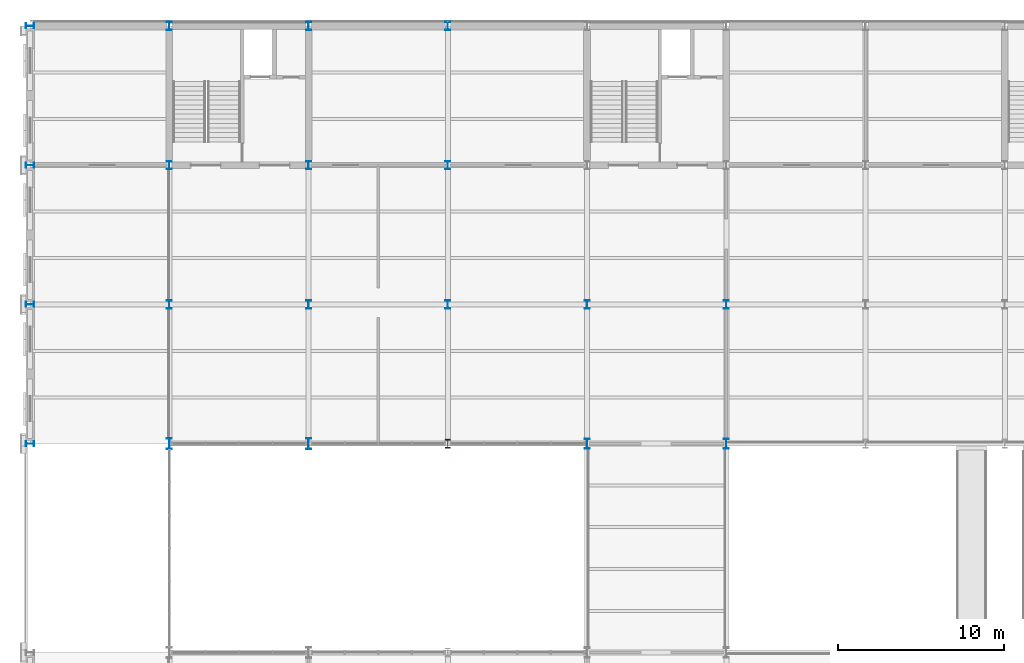
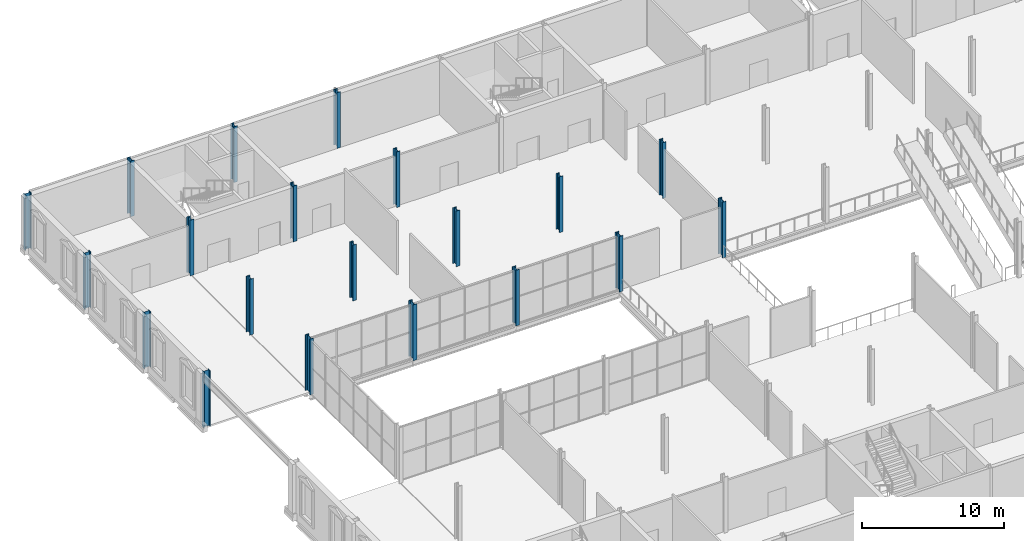
# One storey, part 3 of 61: 20 columns.
"""IFC4 building model written with IfcOpenShell, lengths in metres."""

from ifc_helpers import new_model, si_unit, direction, frame, origin, origin_2d, place, context, subcontext, project, spatial, i_section, extrude, material, material_profile, profile_set, type_object, element, save


model = new_model("IFC4")

# Units and contexts
model_context = context("Model", 3, precision=1e-05, world=origin(), true_north=direction((0.0, 1.0)))
body_context = subcontext(model_context, "Body", "Model", "MODEL_VIEW")
ifc_project = project(units=[si_unit("LENGTHUNIT", "METRE"), si_unit("AREAUNIT", "SQUARE_METRE"), si_unit("VOLUMEUNIT", "CUBIC_METRE"), si_unit("PLANEANGLEUNIT", "RADIAN"), si_unit("MASSUNIT", "GRAM", prefix="KILO")], contexts=[model_context])

# Site, building, storey
site_placement = place(None, origin())
site = spatial("IfcSite", under=ifc_project, at=site_placement, CompositionType="ELEMENT")
building_placement = place(site_placement, origin())
building = spatial("IfcBuilding", under=site, at=building_placement, Name="Galleria Vessillo Department Store", CompositionType="ELEMENT")
storey_placement = place(building_placement, frame((0.0, 0.0, 11.39990234375)))
storey = spatial("IfcBuildingStorey", under=building, at=storey_placement, Name="L02", CompositionType="ELEMENT", Elevation=11.39990234375)

# Columns
ifc_material_1 = material(Name="Steel S355 J2", Category="steel")
ifc_material_profile_1 = material_profile(ifc_material_1, i_section(OverallWidth=0.300048828125, OverallDepth=0.5, WebThickness=0.014404296875, FlangeThickness=0.028076171875, FilletRadius=0.027099609375, at=origin_2d()), Name="HEB 500")
ifc_profile_set_1 = profile_set([ifc_material_profile_1], Name="Steel S355 J2")
column_type_1 = type_object("IfcColumnType", Name="Steel column HEB 500 CP1", PredefinedType="COLUMN", material=ifc_profile_set_1)
for number, where, z_axis, x_axis, name in (
    (1, (0.0, 37.800048828125, 0.0), (0.0, 0.0, 1.0), (0.0, 1.0, 0.0), "S-COL-L02-1-E"),
    (2, (0.0, 46.199951171875, 0.0), (0.0, 0.0, 1.0), (0.0, 1.0, 0.0), "S-COL-L02-1-F"),
    (3, (0.0, 54.60009765625, 0.0), (0.0, 0.0, 1.0), (0.0, 1.0, 0.0), "S-COL-L02-1-G"),
    (4, (0.0, 63.0, 0.0), (0.0, 0.0, 1.0), (0.0, 1.0, 0.0), "S-COL-L02-1-H"),
    (5, (8.39990234375, 46.199951171875, 0.0), (0.0, 0.0, 1.0), (1.0, 0.0, 0.0), "S-COL-L02-2-F"),
    (6, (8.39990234375, 54.60009765625, 0.0), (0.0, 0.0, 1.0), (1.0, 0.0, 0.0), "S-COL-L02-2-G"),
    (7, (8.39990234375, 63.0, 0.0), (0.0, 0.0, 1.0), (1.0, 0.0, 0.0), "S-COL-L02-2-H"),
    (8, (16.800048828125, 46.199951171875, 0.0), (0.0, 0.0, 1.0), (1.0, 0.0, 0.0), "S-COL-L02-3-F"),
    (9, (16.800048828125, 54.60009765625, 0.0), (0.0, 0.0, 1.0), (1.0, 0.0, 0.0), "S-COL-L02-3-G"),
    (10, (16.800048828125, 63.0, 0.0), (0.0, 0.0, 1.0), (1.0, 0.0, 0.0), "S-COL-L02-3-H"),
    (11, (25.199951171875, 46.199951171875, 0.0), (0.0, 0.0, 1.0), (1.0, 0.0, 0.0), "S-COL-L02-4-F"),
    (12, (25.199951171875, 54.60009765625, 0.0), (0.0, 0.0, 1.0), (1.0, 0.0, 0.0), "S-COL-L02-4-G"),
    (13, (25.199951171875, 63.0, 0.0), (0.0, 0.0, 1.0), (1.0, 0.0, 0.0), "S-COL-L02-4-H"),
    (14, (33.60009765625, 46.199951171875, 0.0), (0.0, 0.0, 1.0), (1.0, 0.0, 0.0), "S-COL-L02-5-F"),
    (15, (42.0, 46.199951171875, 0.0), (0.0, 0.0, 1.0), (1.0, 0.0, 0.0), "S-COL-L02-6-F"),
):
    element("IfcColumn", number, at=place(storey_placement, frame(where, z_axis=z_axis, x_axis=x_axis)), inside=storey, type_object=column_type_1, Name=name, PredefinedType="COLUMN", context=body_context, shape_type="SweptSolid", body=[
        extrude(i_section(OverallWidth=0.300048828125, OverallDepth=0.5, WebThickness=0.014404296875, FlangeThickness=0.028076171875, FilletRadius=0.027099609375, at=origin_2d()), origin(), (0.0, 0.0, 1.0), 4.800048828125),
    ])
ifc_material_2 = material(Name="Steel S355 J2", Category="steel")
ifc_material_profile_2 = material_profile(ifc_material_2, i_section(OverallWidth=0.305908203125, OverallDepth=0.52392578125, WebThickness=0.02099609375, FlangeThickness=0.0400390625, FilletRadius=0.027099609375, at=origin_2d()), Name="HEM 500")
ifc_profile_set_2 = profile_set([ifc_material_profile_2], Name="Steel S355 J2")
column_type_2 = type_object("IfcColumnType", Name="Steel column HEM 500 CV1", PredefinedType="COLUMN", material=ifc_profile_set_2)
column_placement = place(storey_placement, frame((25.199951171875, 37.800048828125, 0.0), z_axis=(0.0, 0.0, 1.0), x_axis=(1.0, 0.0, 0.0)))
element("IfcColumn", 16, at=column_placement, inside=storey, type_object=column_type_2, Name="S-COL-L02-4-E", PredefinedType="COLUMN", context=body_context, shape_type="SweptSolid", body=[
    extrude(i_section(OverallWidth=0.305908203125, OverallDepth=0.52392578125, WebThickness=0.02099609375, FlangeThickness=0.0400390625, FilletRadius=0.027099609375, at=origin_2d()), origin(), (0.0, 0.0, 1.0), 4.800048828125),
])
ifc_material_3 = material(Name="Steel S355 J2", Category="steel")
ifc_material_profile_3 = material_profile(ifc_material_3, i_section(OverallWidth=0.304931640625, OverallDepth=0.6201171875, WebThickness=0.02099609375, FlangeThickness=0.0400390625, FilletRadius=0.027099609375, at=origin_2d()), Name="HEM 600")
ifc_profile_set_3 = profile_set([ifc_material_profile_3], Name="Steel S355 J2")
column_type_3 = type_object("IfcColumnType", Name="Steel column HEM 600 CV2", PredefinedType="COLUMN", material=ifc_profile_set_3)
for number, where, z_axis, x_axis, name in (
    (17, (33.60009765625, 37.800048828125, 0.0), (0.0, 0.0, 1.0), (1.0, 0.0, 0.0), "S-COL-L02-5-E"),
    (18, (42.0, 37.800048828125, 0.0), (0.0, 0.0, 1.0), (1.0, 0.0, 0.0), "S-COL-L02-6-E"),
):
    element("IfcColumn", number, at=place(storey_placement, frame(where, z_axis=z_axis, x_axis=x_axis)), inside=storey, type_object=column_type_3, Name=name, PredefinedType="COLUMN", context=body_context, shape_type="SweptSolid", body=[
        extrude(i_section(OverallWidth=0.304931640625, OverallDepth=0.6201171875, WebThickness=0.02099609375, FlangeThickness=0.0400390625, FilletRadius=0.027099609375, at=origin_2d()), origin(), (0.0, 0.0, 1.0), 4.800048828125),
    ])
ifc_material_4 = material(Name="Steel S355 J2", Category="steel")
ifc_material_profile_4 = material_profile(ifc_material_4, i_section(OverallWidth=0.304931640625, OverallDepth=0.66796875, WebThickness=0.02099609375, FlangeThickness=0.0400390625, FilletRadius=0.027099609375, at=origin_2d()), Name="HEM 650")
ifc_profile_set_4 = profile_set([ifc_material_profile_4], Name="Steel S355 J2")
column_type_4 = type_object("IfcColumnType", Name="Steel column HEM 650 CV3", PredefinedType="COLUMN", material=ifc_profile_set_4)
for number, where, z_axis, x_axis, name in (
    (19, (8.39990234375, 37.800048828125, 0.0), (0.0, 0.0, 1.0), (1.0, 0.0, 0.0), "S-COL-L02-2-E"),
    (20, (16.800048828125, 37.800048828125, 0.0), (0.0, 0.0, 1.0), (1.0, 0.0, 0.0), "S-COL-L02-3-E"),
):
    element("IfcColumn", number, at=place(storey_placement, frame(where, z_axis=z_axis, x_axis=x_axis)), inside=storey, type_object=column_type_4, Name=name, PredefinedType="COLUMN", context=body_context, shape_type="SweptSolid", body=[
        extrude(i_section(OverallWidth=0.304931640625, OverallDepth=0.66796875, WebThickness=0.02099609375, FlangeThickness=0.0400390625, FilletRadius=0.027099609375, at=origin_2d()), origin(), (0.0, 0.0, 1.0), 4.800048828125),
    ])

save(model, "model.ifc")
